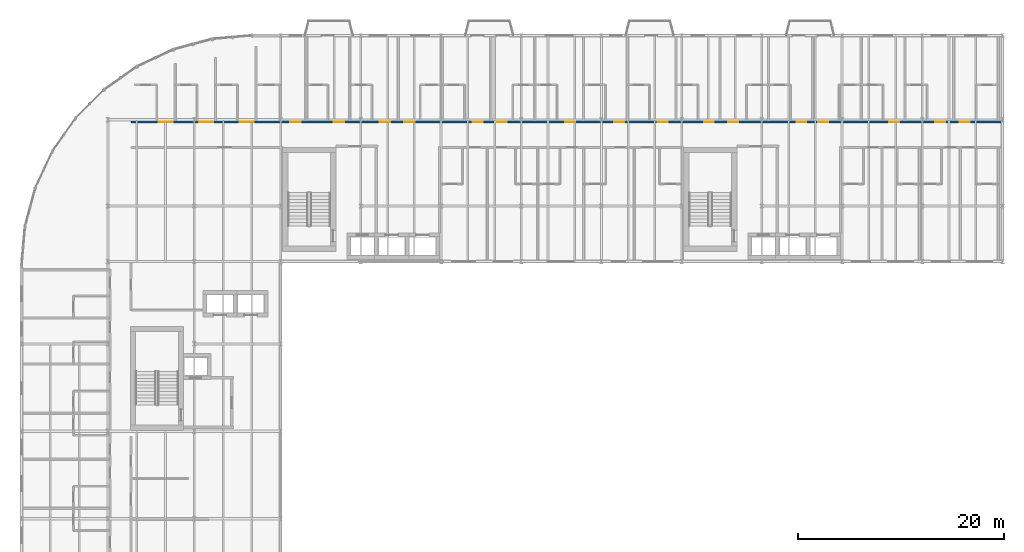
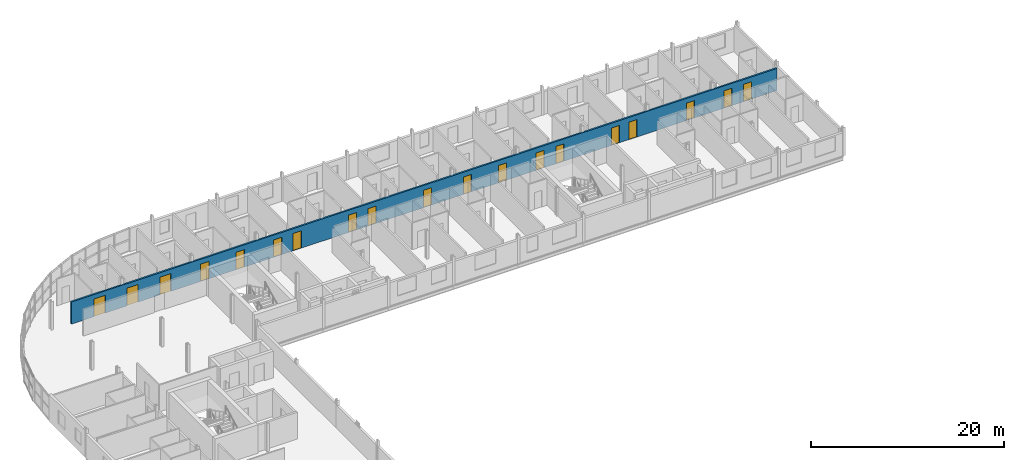
# One storey, part 18 of 25: 19 doors, 1 wall, 19 openings.
"""IFC4 building model written with IfcOpenShell, lengths in metres."""

from ifc_helpers import new_model, si_unit, direction, frame, frame_2d, origin, place, context, subcontext, project, spatial, rectangle, extrude, material, layer, layer_set, type_object, element, fill, save


model = new_model("IFC4")

# Units and contexts
model_context = context("Model", 3, precision=1e-05, world=origin(), true_north=direction((0.0, 1.0)))
body_context = subcontext(model_context, "Body", "Model", "MODEL_VIEW")
ifc_project = project(units=[si_unit("LENGTHUNIT", "METRE"), si_unit("AREAUNIT", "SQUARE_METRE"), si_unit("VOLUMEUNIT", "CUBIC_METRE"), si_unit("PLANEANGLEUNIT", "RADIAN"), si_unit("MASSUNIT", "GRAM", prefix="KILO")], contexts=[model_context])

# Site, building, storey
site_placement = place(None, origin())
site = spatial("IfcSite", under=ifc_project, at=site_placement, CompositionType="ELEMENT")
building_placement = place(site_placement, origin())
building = spatial("IfcBuilding", under=site, at=building_placement, Name="Sefraquen Railside Congress Hotel", CompositionType="ELEMENT")
storey_placement = place(building_placement, frame((0.0, 0.0, 39.0)))
storey = spatial("IfcBuildingStorey", under=building, at=storey_placement, Name="L09", CompositionType="ELEMENT", Elevation=39.0)

# Wall, openings, doors
ifc_material_1 = material(Name="Acoustic gypsum board on metal stud", Category="gypsum")
ifc_layer = layer(ifc_material_1, 0.199951171875)
ifc_layer_set = layer_set([ifc_layer], Name="Acoustic gypsum board on metal stud")
wall_type = type_object("IfcWallType", Name="TW-PW-200", PredefinedType="PARTITIONING", material=ifc_layer_set)
wall_placement = place(storey_placement, frame((10.64990234375, 109.60009765625, 0.0), z_axis=(0.0, 0.0, 1.0), x_axis=(1.0, 0.0, 0.0)))
wall = element("IfcWall", 1, at=wall_placement, inside=storey, type_object=wall_type, Name="Hotel L09 north corridor fire-rated partition", PredefinedType="PARTITIONING", context=body_context, shape_type="SweptSolid", body=[
    extrude(rectangle(XDim=84.610107421875, YDim=0.199951171875, at=frame_2d((42.30517578125, 0.0))), origin(), (0.0, 0.0, 1.0), 2.820068359375),
])
opening_1_placement = place(wall_placement, frame((15.489990234375, 0.0, 0.0)))
opening_1 = element("IfcOpeningElement", 2, at=opening_1_placement, cuts=wall, Name="Opening GD-01", PredefinedType="OPENING", context=body_context, shape_type="SweptSolid", body=[
    extrude(rectangle(XDim=1.02001953125, YDim=2.199951171875, at=frame_2d((0.510009765625, 1.10009765625))), frame((0.0, 0.10986328125, 0.0), z_axis=(0.0, -1.0, 0.0), x_axis=(1.0, 0.0, 0.0)), (0.0, 0.0, 1.0), 0.219970703125),
])
opening_2_placement = place(wall_placement, frame((19.702880859375, 0.0, 0.0)))
opening_2 = element("IfcOpeningElement", 3, at=opening_2_placement, cuts=wall, Name="Opening GD-01", PredefinedType="OPENING", context=body_context, shape_type="SweptSolid", body=[
    extrude(rectangle(XDim=1.02001953125, YDim=2.199951171875, at=frame_2d((0.510009765625, 1.10009765625))), frame((0.0, 0.10986328125, 0.0), z_axis=(0.0, -1.0, 0.0), x_axis=(1.0, 0.0, 0.0)), (0.0, 0.0, 1.0), 0.219970703125),
])
opening_3_placement = place(wall_placement, frame((24.202880859375, 0.0, 0.0)))
opening_3 = element("IfcOpeningElement", 4, at=opening_3_placement, cuts=wall, Name="Opening GD-01", PredefinedType="OPENING", context=body_context, shape_type="SweptSolid", body=[
    extrude(rectangle(XDim=1.02001953125, YDim=2.199951171875, at=frame_2d((0.510009765625, 1.10009765625))), frame((0.0, 0.10986328125, 0.0), z_axis=(0.0, -1.0, 0.0), x_axis=(1.0, 0.0, 0.0)), (0.0, 0.0, 1.0), 0.219970703125),
])
opening_4_placement = place(wall_placement, frame((26.552001953125, 0.0, 0.0)))
opening_4 = element("IfcOpeningElement", 5, at=opening_4_placement, cuts=wall, Name="Opening GD-01", PredefinedType="OPENING", context=body_context, shape_type="SweptSolid", body=[
    extrude(rectangle(XDim=1.02001953125, YDim=2.199951171875, at=frame_2d((0.510009765625, 1.10009765625))), frame((0.0, 0.10986328125, 0.0), z_axis=(0.0, -1.0, 0.0), x_axis=(1.0, 0.0, 0.0)), (0.0, 0.0, 1.0), 0.219970703125),
])
opening_5_placement = place(wall_placement, frame((33.23291015625, 0.0, 0.0)))
opening_5 = element("IfcOpeningElement", 6, at=opening_5_placement, cuts=wall, Name="Opening GD-02", PredefinedType="OPENING", context=body_context, shape_type="SweptSolid", body=[
    extrude(rectangle(XDim=0.9599609375, YDim=2.199951171875, at=frame_2d((0.47998046875, 1.10009765625))), frame((0.0, 0.10986328125, 0.0), z_axis=(0.0, -1.0, 0.0), x_axis=(1.0, 0.0, 0.0)), (0.0, 0.0, 1.0), 0.219970703125),
])
opening_6_placement = place(wall_placement, frame((35.5830078125, 0.0, 0.0)))
opening_6 = element("IfcOpeningElement", 7, at=opening_6_placement, cuts=wall, Name="Opening GD-02", PredefinedType="OPENING", context=body_context, shape_type="SweptSolid", body=[
    extrude(rectangle(XDim=0.9599609375, YDim=2.199951171875, at=frame_2d((0.47998046875, 1.10009765625))), frame((0.0, 0.10986328125, 0.0), z_axis=(0.0, -1.0, 0.0), x_axis=(1.0, 0.0, 0.0)), (0.0, 0.0, 1.0), 0.219970703125),
])
opening_7_placement = place(wall_placement, frame((42.23291015625, 0.0, 0.0)))
opening_7 = element("IfcOpeningElement", 8, at=opening_7_placement, cuts=wall, Name="Opening GD-02", PredefinedType="OPENING", context=body_context, shape_type="SweptSolid", body=[
    extrude(rectangle(XDim=0.9599609375, YDim=2.199951171875, at=frame_2d((0.47998046875, 1.10009765625))), frame((0.0, 0.10986328125, 0.0), z_axis=(0.0, -1.0, 0.0), x_axis=(1.0, 0.0, 0.0)), (0.0, 0.0, 1.0), 0.219970703125),
])
opening_8_placement = place(wall_placement, frame((46.98291015625, 0.0, 0.0)))
opening_8 = element("IfcOpeningElement", 9, at=opening_8_placement, cuts=wall, Name="Opening GD-02", PredefinedType="OPENING", context=body_context, shape_type="SweptSolid", body=[
    extrude(rectangle(XDim=0.9599609375, YDim=2.199951171875, at=frame_2d((0.47998046875, 1.10009765625))), frame((0.0, 0.10986328125, 0.0), z_axis=(0.0, -1.0, 0.0), x_axis=(1.0, 0.0, 0.0)), (0.0, 0.0, 1.0), 0.219970703125),
])
opening_9_placement = place(wall_placement, frame((51.23291015625, 0.0, 0.0)))
opening_9 = element("IfcOpeningElement", 10, at=opening_9_placement, cuts=wall, Name="Opening GD-02", PredefinedType="OPENING", context=body_context, shape_type="SweptSolid", body=[
    extrude(rectangle(XDim=0.9599609375, YDim=2.199951171875, at=frame_2d((0.47998046875, 1.10009765625))), frame((0.0, 0.10986328125, 0.0), z_axis=(0.0, -1.0, 0.0), x_axis=(1.0, 0.0, 0.0)), (0.0, 0.0, 1.0), 0.219970703125),
])
opening_10_placement = place(wall_placement, frame((55.73291015625, 0.0, 0.0)))
opening_10 = element("IfcOpeningElement", 11, at=opening_10_placement, cuts=wall, Name="Opening GD-02", PredefinedType="OPENING", context=body_context, shape_type="SweptSolid", body=[
    extrude(rectangle(XDim=0.9599609375, YDim=2.199951171875, at=frame_2d((0.47998046875, 1.10009765625))), frame((0.0, 0.10986328125, 0.0), z_axis=(0.0, -1.0, 0.0), x_axis=(1.0, 0.0, 0.0)), (0.0, 0.0, 1.0), 0.219970703125),
])
opening_11_placement = place(wall_placement, frame((58.0830078125, 0.0, 0.0)))
opening_11 = element("IfcOpeningElement", 12, at=opening_11_placement, cuts=wall, Name="Opening GD-02", PredefinedType="OPENING", context=body_context, shape_type="SweptSolid", body=[
    extrude(rectangle(XDim=0.9599609375, YDim=2.199951171875, at=frame_2d((0.47998046875, 1.10009765625))), frame((0.0, 0.10986328125, 0.0), z_axis=(0.0, -1.0, 0.0), x_axis=(1.0, 0.0, 0.0)), (0.0, 0.0, 1.0), 0.219970703125),
])
opening_12_placement = place(wall_placement, frame((64.73193359375, 0.0, 0.0)))
opening_12 = element("IfcOpeningElement", 13, at=opening_12_placement, cuts=wall, Name="Opening GD-02", PredefinedType="OPENING", context=body_context, shape_type="SweptSolid", body=[
    extrude(rectangle(XDim=0.9599609375, YDim=2.199951171875, at=frame_2d((0.47998046875, 1.10009765625))), frame((0.0, 0.10986328125, 0.0), z_axis=(0.0, -1.0, 0.0), x_axis=(1.0, 0.0, 0.0)), (0.0, 0.0, 1.0), 0.219970703125),
])
opening_13_placement = place(wall_placement, frame((66.83203125, 0.0, 0.0)))
opening_13 = element("IfcOpeningElement", 14, at=opening_13_placement, cuts=wall, Name="Opening GD-02", PredefinedType="OPENING", context=body_context, shape_type="SweptSolid", body=[
    extrude(rectangle(XDim=0.9599609375, YDim=2.199951171875, at=frame_2d((0.47998046875, 1.10009765625))), frame((0.0, 0.10986328125, 0.0), z_axis=(0.0, -1.0, 0.0), x_axis=(1.0, 0.0, 0.0)), (0.0, 0.0, 1.0), 0.219970703125),
])
opening_14_placement = place(wall_placement, frame((73.73193359375, 0.0, 0.0)))
opening_14 = element("IfcOpeningElement", 15, at=opening_14_placement, cuts=wall, Name="Opening GD-02", PredefinedType="OPENING", context=body_context, shape_type="SweptSolid", body=[
    extrude(rectangle(XDim=0.9599609375, YDim=2.199951171875, at=frame_2d((0.47998046875, 1.10009765625))), frame((0.0, 0.10986328125, 0.0), z_axis=(0.0, -1.0, 0.0), x_axis=(1.0, 0.0, 0.0)), (0.0, 0.0, 1.0), 0.219970703125),
])
opening_15_placement = place(wall_placement, frame((78.23291015625, 0.0, 0.0)))
opening_15 = element("IfcOpeningElement", 16, at=opening_15_placement, cuts=wall, Name="Opening GD-02", PredefinedType="OPENING", context=body_context, shape_type="SweptSolid", body=[
    extrude(rectangle(XDim=0.9599609375, YDim=2.199951171875, at=frame_2d((0.47998046875, 1.10009765625))), frame((0.0, 0.10986328125, 0.0), z_axis=(0.0, -1.0, 0.0), x_axis=(1.0, 0.0, 0.0)), (0.0, 0.0, 1.0), 0.219970703125),
])
opening_16_placement = place(wall_placement, frame((80.6201171875, 0.0, 0.0)))
opening_16 = element("IfcOpeningElement", 17, at=opening_16_placement, cuts=wall, Name="Opening GD-02", PredefinedType="OPENING", context=body_context, shape_type="SweptSolid", body=[
    extrude(rectangle(XDim=0.9599609375, YDim=2.199951171875, at=frame_2d((0.47998046875, 1.10009765625))), frame((0.0, 0.10986328125, 0.0), z_axis=(0.0, -1.0, 0.0), x_axis=(1.0, 0.0, 0.0)), (0.0, 0.0, 1.0), 0.219970703125),
])
opening_17_placement = place(wall_placement, frame((2.716064453125, 0.0, 0.0)))
opening_17 = element("IfcOpeningElement", 18, at=opening_17_placement, cuts=wall, Name="Opening GD-03", PredefinedType="OPENING", context=body_context, shape_type="SweptSolid", body=[
    extrude(rectangle(XDim=1.35009765625, YDim=2.25, at=frame_2d((0.675048828125, 1.125))), frame((0.0, 0.10986328125, 0.0), z_axis=(0.0, -1.0, 0.0), x_axis=(1.0, 0.0, 0.0)), (0.0, 0.0, 1.0), 0.219970703125),
])
opening_18_placement = place(wall_placement, frame((6.64990234375, 0.0, 0.0)))
opening_18 = element("IfcOpeningElement", 19, at=opening_18_placement, cuts=wall, Name="Opening GD-03", PredefinedType="OPENING", context=body_context, shape_type="SweptSolid", body=[
    extrude(rectangle(XDim=1.35009765625, YDim=2.25, at=frame_2d((0.675048828125, 1.125))), frame((0.0, 0.10986328125, 0.0), z_axis=(0.0, -1.0, 0.0), x_axis=(1.0, 0.0, 0.0)), (0.0, 0.0, 1.0), 0.219970703125),
])
opening_19_placement = place(wall_placement, frame((10.5830078125, 0.0, 0.0)))
opening_19 = element("IfcOpeningElement", 20, at=opening_19_placement, cuts=wall, Name="Opening GD-03", PredefinedType="OPENING", context=body_context, shape_type="SweptSolid", body=[
    extrude(rectangle(XDim=1.35009765625, YDim=2.25, at=frame_2d((0.675048828125, 1.125))), frame((0.0, 0.10986328125, 0.0), z_axis=(0.0, -1.0, 0.0), x_axis=(1.0, 0.0, 0.0)), (0.0, 0.0, 1.0), 0.219970703125),
])
ifc_material_2 = material(Name="Solid Atlas cedar timber fire leaf", Category="wood")
door_type_1 = type_object("IfcDoorType", Name="TD-GD-01", OperationType="NOTDEFINED", PredefinedType="DOOR", material=ifc_material_2)
door_1_placement = place(opening_1_placement, origin())
door_1 = element("IfcDoor", 21, at=door_1_placement, inside=storey, type_object=door_type_1, Name="Guest room entrance fire door RM-001", OperationType="SINGLE_SWING_RIGHT", OverallHeight=2.199951171875, OverallWidth=1.02001953125, PredefinedType="DOOR", context=body_context, shape_type="SweptSolid", body=[
    extrude(rectangle(XDim=1.02001953125, YDim=2.199951171875, at=frame_2d((0.510009765625, 1.10009765625))), frame((0.0, 0.02490234375, 0.0), z_axis=(0.0, -1.0, 0.0), x_axis=(1.0, 0.0, 0.0)), (0.0, 0.0, 1.0), 0.050048828125),
])
fill(opening_1, door_1)
door_2_placement = place(opening_2_placement, origin())
door_2 = element("IfcDoor", 22, at=door_2_placement, inside=storey, type_object=door_type_1, Name="Guest room entrance fire door RM-002", OperationType="SINGLE_SWING_RIGHT", OverallHeight=2.199951171875, OverallWidth=1.02001953125, PredefinedType="DOOR", context=body_context, shape_type="SweptSolid", body=[
    extrude(rectangle(XDim=1.02001953125, YDim=2.199951171875, at=frame_2d((0.510009765625, 1.10009765625))), frame((0.0, 0.02490234375, 0.0), z_axis=(0.0, -1.0, 0.0), x_axis=(1.0, 0.0, 0.0)), (0.0, 0.0, 1.0), 0.050048828125),
])
fill(opening_2, door_2)
door_3_placement = place(opening_3_placement, origin())
door_3 = element("IfcDoor", 23, at=door_3_placement, inside=storey, type_object=door_type_1, Name="Guest room entrance fire door RM-003", OperationType="SINGLE_SWING_RIGHT", OverallHeight=2.199951171875, OverallWidth=1.02001953125, PredefinedType="DOOR", context=body_context, shape_type="SweptSolid", body=[
    extrude(rectangle(XDim=1.02001953125, YDim=2.199951171875, at=frame_2d((0.510009765625, 1.10009765625))), frame((0.0, 0.02490234375, 0.0), z_axis=(0.0, -1.0, 0.0), x_axis=(1.0, 0.0, 0.0)), (0.0, 0.0, 1.0), 0.050048828125),
])
fill(opening_3, door_3)
door_4_placement = place(opening_4_placement, origin())
door_4 = element("IfcDoor", 24, at=door_4_placement, inside=storey, type_object=door_type_1, Name="Guest room entrance fire door RM-004", OperationType="SINGLE_SWING_RIGHT", OverallHeight=2.199951171875, OverallWidth=1.02001953125, PredefinedType="DOOR", context=body_context, shape_type="SweptSolid", body=[
    extrude(rectangle(XDim=1.02001953125, YDim=2.199951171875, at=frame_2d((0.510009765625, 1.10009765625))), frame((0.0, 0.02490234375, 0.0), z_axis=(0.0, -1.0, 0.0), x_axis=(1.0, 0.0, 0.0)), (0.0, 0.0, 1.0), 0.050048828125),
])
fill(opening_4, door_4)
door_type_2 = type_object("IfcDoorType", Name="TD-GD-02", OperationType="NOTDEFINED", PredefinedType="DOOR", material=ifc_material_2)
door_5_placement = place(opening_5_placement, origin())
door_5 = element("IfcDoor", 25, at=door_5_placement, inside=storey, type_object=door_type_2, Name="Guest room entrance fire door RM-005", OperationType="SINGLE_SWING_RIGHT", OverallHeight=2.199951171875, OverallWidth=0.9599609375, PredefinedType="DOOR", context=body_context, shape_type="SweptSolid", body=[
    extrude(rectangle(XDim=0.9599609375, YDim=2.199951171875, at=frame_2d((0.47998046875, 1.10009765625))), frame((0.0, 0.02490234375, 0.0), z_axis=(0.0, -1.0, 0.0), x_axis=(1.0, 0.0, 0.0)), (0.0, 0.0, 1.0), 0.050048828125),
])
fill(opening_5, door_5)
door_6_placement = place(opening_6_placement, origin())
door_6 = element("IfcDoor", 26, at=door_6_placement, inside=storey, type_object=door_type_2, Name="Guest room entrance fire door RM-006", OperationType="SINGLE_SWING_RIGHT", OverallHeight=2.199951171875, OverallWidth=0.9599609375, PredefinedType="DOOR", context=body_context, shape_type="SweptSolid", body=[
    extrude(rectangle(XDim=0.9599609375, YDim=2.199951171875, at=frame_2d((0.47998046875, 1.10009765625))), frame((0.0, 0.02490234375, 0.0), z_axis=(0.0, -1.0, 0.0), x_axis=(1.0, 0.0, 0.0)), (0.0, 0.0, 1.0), 0.050048828125),
])
fill(opening_6, door_6)
door_7_placement = place(opening_7_placement, origin())
door_7 = element("IfcDoor", 27, at=door_7_placement, inside=storey, type_object=door_type_2, Name="Guest room entrance fire door RM-007", OperationType="SINGLE_SWING_RIGHT", OverallHeight=2.199951171875, OverallWidth=0.9599609375, PredefinedType="DOOR", context=body_context, shape_type="SweptSolid", body=[
    extrude(rectangle(XDim=0.9599609375, YDim=2.199951171875, at=frame_2d((0.47998046875, 1.10009765625))), frame((0.0, 0.02490234375, 0.0), z_axis=(0.0, -1.0, 0.0), x_axis=(1.0, 0.0, 0.0)), (0.0, 0.0, 1.0), 0.050048828125),
])
fill(opening_7, door_7)
door_8_placement = place(opening_8_placement, origin())
door_8 = element("IfcDoor", 28, at=door_8_placement, inside=storey, type_object=door_type_2, Name="Guest room entrance fire door RM-008", OperationType="SINGLE_SWING_RIGHT", OverallHeight=2.199951171875, OverallWidth=0.9599609375, PredefinedType="DOOR", context=body_context, shape_type="SweptSolid", body=[
    extrude(rectangle(XDim=0.9599609375, YDim=2.199951171875, at=frame_2d((0.47998046875, 1.10009765625))), frame((0.0, 0.02490234375, 0.0), z_axis=(0.0, -1.0, 0.0), x_axis=(1.0, 0.0, 0.0)), (0.0, 0.0, 1.0), 0.050048828125),
])
fill(opening_8, door_8)
door_9_placement = place(opening_9_placement, origin())
door_9 = element("IfcDoor", 29, at=door_9_placement, inside=storey, type_object=door_type_2, Name="Guest room entrance fire door RM-009", OperationType="SINGLE_SWING_RIGHT", OverallHeight=2.199951171875, OverallWidth=0.9599609375, PredefinedType="DOOR", context=body_context, shape_type="SweptSolid", body=[
    extrude(rectangle(XDim=0.9599609375, YDim=2.199951171875, at=frame_2d((0.47998046875, 1.10009765625))), frame((0.0, 0.02490234375, 0.0), z_axis=(0.0, -1.0, 0.0), x_axis=(1.0, 0.0, 0.0)), (0.0, 0.0, 1.0), 0.050048828125),
])
fill(opening_9, door_9)
door_10_placement = place(opening_10_placement, origin())
door_10 = element("IfcDoor", 30, at=door_10_placement, inside=storey, type_object=door_type_2, Name="Guest room entrance fire door RM-010", OperationType="SINGLE_SWING_RIGHT", OverallHeight=2.199951171875, OverallWidth=0.9599609375, PredefinedType="DOOR", context=body_context, shape_type="SweptSolid", body=[
    extrude(rectangle(XDim=0.9599609375, YDim=2.199951171875, at=frame_2d((0.47998046875, 1.10009765625))), frame((0.0, 0.02490234375, 0.0), z_axis=(0.0, -1.0, 0.0), x_axis=(1.0, 0.0, 0.0)), (0.0, 0.0, 1.0), 0.050048828125),
])
fill(opening_10, door_10)
door_11_placement = place(opening_11_placement, origin())
door_11 = element("IfcDoor", 31, at=door_11_placement, inside=storey, type_object=door_type_2, Name="Guest room entrance fire door RM-011", OperationType="SINGLE_SWING_RIGHT", OverallHeight=2.199951171875, OverallWidth=0.9599609375, PredefinedType="DOOR", context=body_context, shape_type="SweptSolid", body=[
    extrude(rectangle(XDim=0.9599609375, YDim=2.199951171875, at=frame_2d((0.47998046875, 1.10009765625))), frame((0.0, 0.02490234375, 0.0), z_axis=(0.0, -1.0, 0.0), x_axis=(1.0, 0.0, 0.0)), (0.0, 0.0, 1.0), 0.050048828125),
])
fill(opening_11, door_11)
door_12_placement = place(opening_12_placement, origin())
door_12 = element("IfcDoor", 32, at=door_12_placement, inside=storey, type_object=door_type_2, Name="Guest room entrance fire door RM-012", OperationType="SINGLE_SWING_RIGHT", OverallHeight=2.199951171875, OverallWidth=0.9599609375, PredefinedType="DOOR", context=body_context, shape_type="SweptSolid", body=[
    extrude(rectangle(XDim=0.9599609375, YDim=2.199951171875, at=frame_2d((0.47998046875, 1.10009765625))), frame((0.0, 0.02490234375, 0.0), z_axis=(0.0, -1.0, 0.0), x_axis=(1.0, 0.0, 0.0)), (0.0, 0.0, 1.0), 0.050048828125),
])
fill(opening_12, door_12)
door_13_placement = place(opening_13_placement, origin())
door_13 = element("IfcDoor", 33, at=door_13_placement, inside=storey, type_object=door_type_2, Name="Guest room entrance fire door RM-013", OperationType="SINGLE_SWING_RIGHT", OverallHeight=2.199951171875, OverallWidth=0.9599609375, PredefinedType="DOOR", context=body_context, shape_type="SweptSolid", body=[
    extrude(rectangle(XDim=0.9599609375, YDim=2.199951171875, at=frame_2d((0.47998046875, 1.10009765625))), frame((0.0, 0.02490234375, 0.0), z_axis=(0.0, -1.0, 0.0), x_axis=(1.0, 0.0, 0.0)), (0.0, 0.0, 1.0), 0.050048828125),
])
fill(opening_13, door_13)
door_14_placement = place(opening_14_placement, origin())
door_14 = element("IfcDoor", 34, at=door_14_placement, inside=storey, type_object=door_type_2, Name="Guest room entrance fire door RM-014", OperationType="SINGLE_SWING_RIGHT", OverallHeight=2.199951171875, OverallWidth=0.9599609375, PredefinedType="DOOR", context=body_context, shape_type="SweptSolid", body=[
    extrude(rectangle(XDim=0.9599609375, YDim=2.199951171875, at=frame_2d((0.47998046875, 1.10009765625))), frame((0.0, 0.02490234375, 0.0), z_axis=(0.0, -1.0, 0.0), x_axis=(1.0, 0.0, 0.0)), (0.0, 0.0, 1.0), 0.050048828125),
])
fill(opening_14, door_14)
door_15_placement = place(opening_15_placement, origin())
door_15 = element("IfcDoor", 35, at=door_15_placement, inside=storey, type_object=door_type_2, Name="Guest room entrance fire door RM-015", OperationType="SINGLE_SWING_RIGHT", OverallHeight=2.199951171875, OverallWidth=0.9599609375, PredefinedType="DOOR", context=body_context, shape_type="SweptSolid", body=[
    extrude(rectangle(XDim=0.9599609375, YDim=2.199951171875, at=frame_2d((0.47998046875, 1.10009765625))), frame((0.0, 0.02490234375, 0.0), z_axis=(0.0, -1.0, 0.0), x_axis=(1.0, 0.0, 0.0)), (0.0, 0.0, 1.0), 0.050048828125),
])
fill(opening_15, door_15)
door_16_placement = place(opening_16_placement, origin())
door_16 = element("IfcDoor", 36, at=door_16_placement, inside=storey, type_object=door_type_2, Name="Guest room entrance fire door RM-016", OperationType="SINGLE_SWING_RIGHT", OverallHeight=2.199951171875, OverallWidth=0.9599609375, PredefinedType="DOOR", context=body_context, shape_type="SweptSolid", body=[
    extrude(rectangle(XDim=0.9599609375, YDim=2.199951171875, at=frame_2d((0.47998046875, 1.10009765625))), frame((0.0, 0.02490234375, 0.0), z_axis=(0.0, -1.0, 0.0), x_axis=(1.0, 0.0, 0.0)), (0.0, 0.0, 1.0), 0.050048828125),
])
fill(opening_16, door_16)
door_type_3 = type_object("IfcDoorType", Name="TD-GD-03", OperationType="NOTDEFINED", PredefinedType="DOOR", material=ifc_material_2)
door_17_placement = place(opening_17_placement, origin())
door_17 = element("IfcDoor", 37, at=door_17_placement, inside=storey, type_object=door_type_3, Name="Guest room entrance fire door RM-033", OperationType="DOUBLE_SWING_LEFT", OverallHeight=2.25, OverallWidth=1.35009765625, PredefinedType="DOOR", context=body_context, shape_type="SweptSolid", body=[
    extrude(rectangle(XDim=1.35009765625, YDim=2.25, at=frame_2d((0.675048828125, 1.125))), frame((0.0, 0.02490234375, 0.0), z_axis=(0.0, -1.0, 0.0), x_axis=(1.0, 0.0, 0.0)), (0.0, 0.0, 1.0), 0.050048828125),
])
fill(opening_17, door_17)
door_18_placement = place(opening_18_placement, origin())
door_18 = element("IfcDoor", 38, at=door_18_placement, inside=storey, type_object=door_type_3, Name="Guest room entrance fire door RM-034", OperationType="DOUBLE_SWING_LEFT", OverallHeight=2.25, OverallWidth=1.35009765625, PredefinedType="DOOR", context=body_context, shape_type="SweptSolid", body=[
    extrude(rectangle(XDim=1.35009765625, YDim=2.25, at=frame_2d((0.675048828125, 1.125))), frame((0.0, 0.02490234375, 0.0), z_axis=(0.0, -1.0, 0.0), x_axis=(1.0, 0.0, 0.0)), (0.0, 0.0, 1.0), 0.050048828125),
])
fill(opening_18, door_18)
door_19_placement = place(opening_19_placement, origin())
door_19 = element("IfcDoor", 39, at=door_19_placement, inside=storey, type_object=door_type_3, Name="Guest room entrance fire door RM-035", OperationType="DOUBLE_SWING_LEFT", OverallHeight=2.25, OverallWidth=1.35009765625, PredefinedType="DOOR", context=body_context, shape_type="SweptSolid", body=[
    extrude(rectangle(XDim=1.35009765625, YDim=2.25, at=frame_2d((0.675048828125, 1.125))), frame((0.0, 0.02490234375, 0.0), z_axis=(0.0, -1.0, 0.0), x_axis=(1.0, 0.0, 0.0)), (0.0, 0.0, 1.0), 0.050048828125),
])
fill(opening_19, door_19)

save(model, "model.ifc")
